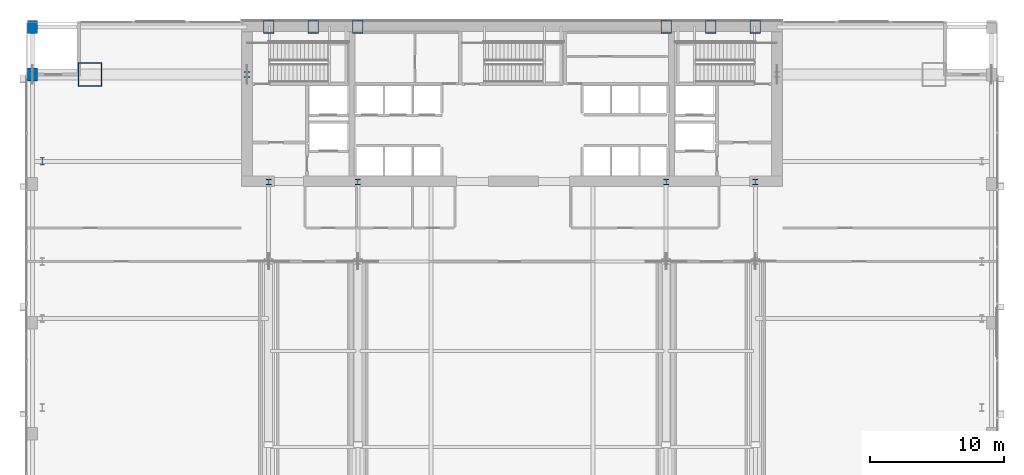
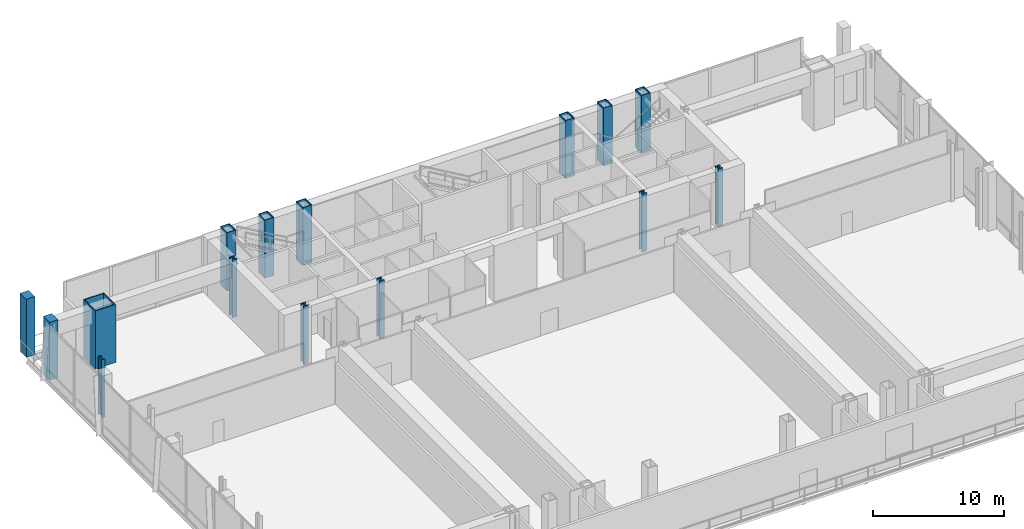
# One storey, part 3 of 26: 15 columns.
"""IFC4 building model written with IfcOpenShell, lengths in metres."""

from ifc_helpers import new_model, si_unit, direction, frame, origin, origin_2d, place, context, subcontext, project, spatial, rectangle, hollow_rectangle, i_section, extrude, material, material_profile, profile_set, type_object, element, save


model = new_model("IFC4")

# Units and contexts
model_context = context("Model", 3, precision=1e-05, world=origin(), true_north=direction((0.0, 1.0)))
body_context = subcontext(model_context, "Body", "Model", "MODEL_VIEW")
ifc_project = project(units=[si_unit("LENGTHUNIT", "METRE"), si_unit("AREAUNIT", "SQUARE_METRE"), si_unit("VOLUMEUNIT", "CUBIC_METRE"), si_unit("PLANEANGLEUNIT", "RADIAN"), si_unit("MASSUNIT", "GRAM", prefix="KILO")], contexts=[model_context])

# Site, building, storey
site_placement = place(None, origin())
site = spatial("IfcSite", under=ifc_project, at=site_placement, CompositionType="ELEMENT")
building_placement = place(site_placement, origin())
building = spatial("IfcBuilding", under=site, at=building_placement, Name="Khoronbel Lancet Exchange", CompositionType="ELEMENT")
storey_placement = place(building_placement, frame((0.0, 0.0, 20.39990234375)))
storey = spatial("IfcBuildingStorey", under=building, at=storey_placement, Name="L04", CompositionType="ELEMENT", Elevation=20.39990234375)

# Columns
ifc_material_1 = material(Name="Steel S460", Category="steel")
ifc_material_profile_1 = material_profile(ifc_material_1, hollow_rectangle(XDim=0.800048828125, YDim=1.0, WallThickness=0.054931640625, at=origin_2d()), Name="BOX 1000x800x55")
ifc_profile_set_1 = profile_set([ifc_material_profile_1], Name="Steel S460")
column_type_1 = type_object("IfcColumnType", Name="COL-EC1", PredefinedType="COLUMN", material=ifc_profile_set_1)
for number, where, z_axis, x_axis, name in (
    (1, (18.22509765625, 53.280029296875, 0.0), (0.0, 0.0, 1.0), (1.0, 0.0, 0.0), "Structural column NC-W1 L04"),
    (2, (21.5625, 53.280029296875, 0.0), (0.0, 0.0, 1.0), (1.0, 0.0, 0.0), "Structural column NC-WM L04"),
    (3, (24.89990234375, 53.280029296875, 0.0), (0.0, 0.0, 1.0), (1.0, 0.0, 0.0), "Structural column NC-W2 L04"),
    (4, (48.0, 53.280029296875, 0.0), (0.0, 0.0, 1.0), (1.0, 0.0, 0.0), "Structural column NC-E1 L04"),
    (5, (51.33740234375, 53.280029296875, 0.0), (0.0, 0.0, 1.0), (1.0, 0.0, 0.0), "Structural column NC-EM L04"),
    (6, (54.675048828125, 53.280029296875, 0.0), (0.0, 0.0, 1.0), (1.0, 0.0, 0.0), "Structural column NC-E2 L04"),
):
    element("IfcColumn", number, at=place(storey_placement, frame(where, z_axis=z_axis, x_axis=x_axis)), inside=storey, type_object=column_type_1, Name=name, PredefinedType="COLUMN", context=body_context, shape_type="SweptSolid", body=[
        extrude(hollow_rectangle(XDim=0.800048828125, YDim=1.0, WallThickness=0.054931640625, at=origin_2d()), origin(), (0.0, 0.0, 1.0), 5.400146484375),
    ])
ifc_material_profile_2 = material_profile(ifc_material_1, i_section(OverallWidth=0.424072265625, OverallDepth=0.47412109375, WebThickness=0.047607421875, FlangeThickness=0.076904296875, at=origin_2d()), Name="HD 400x634")
ifc_profile_set_2 = profile_set([ifc_material_profile_2], Name="Steel S460")
column_type_2 = type_object("IfcColumnType", Name="COL-IC1", PredefinedType="COLUMN", material=ifc_profile_set_2)
for number, where, z_axis, x_axis, name in (
    (7, (16.60009765625, 49.699951171875, 0.0), (0.0, 0.0, 1.0), (1.0, 0.0, 0.0), "Core-flank plumb transfer column CFW L04"),
    (8, (18.22509765625, 41.64990234375, 0.0), (0.0, 0.0, 1.0), (1.0, 0.0, 0.0), "Core-embedded steel column CTC1 L04"),
    (9, (24.89990234375, 41.64990234375, 0.0), (0.0, 0.0, 1.0), (1.0, 0.0, 0.0), "Core-embedded steel column CTC2 L04"),
    (10, (48.0, 41.64990234375, 0.0), (0.0, 0.0, 1.0), (1.0, 0.0, 0.0), "Core-embedded steel column CTC3 L04"),
    (11, (54.675048828125, 41.64990234375, 0.0), (0.0, 0.0, 1.0), (1.0, 0.0, 0.0), "Core-embedded steel column CTC4 L04"),
):
    element("IfcColumn", number, at=place(storey_placement, frame(where, z_axis=z_axis, x_axis=x_axis)), inside=storey, type_object=column_type_2, Name=name, PredefinedType="COLUMN", context=body_context, shape_type="SweptSolid", body=[
        extrude(i_section(OverallWidth=0.424072265625, OverallDepth=0.47412109375, WebThickness=0.047607421875, FlangeThickness=0.076904296875, at=origin_2d()), origin(), (0.0, 0.0, 1.0), 5.400146484375),
    ])
ifc_material_2 = material(Name="Steel S355", Category="steel")
ifc_material_profile_3 = material_profile(ifc_material_2, i_section(OverallWidth=0.300048828125, OverallDepth=0.550048828125, WebThickness=0.014892578125, FlangeThickness=0.029052734375, at=origin_2d()), Name="HEB 550")
ifc_profile_set_3 = profile_set([ifc_material_profile_3], Name="Steel S355")
column_type_3 = type_object("IfcColumnType", Name="COL-LC1", PredefinedType="COLUMN", material=ifc_profile_set_3)
column_1_placement = place(storey_placement, frame((1.27001953125, 43.199951171875, 0.0), z_axis=(0.0, 0.0, 1.0), x_axis=(1.0, 0.0, 0.0)))
element("IfcColumn", 12, at=column_1_placement, inside=storey, type_object=column_type_3, Name="Structural column WC-4 L04", PredefinedType="COLUMN", context=body_context, shape_type="SweptSolid", body=[
    extrude(i_section(OverallWidth=0.300048828125, OverallDepth=0.550048828125, WebThickness=0.014892578125, FlangeThickness=0.029052734375, at=origin_2d()), origin(), (0.0, 0.0, 1.0), 5.400146484375),
])
ifc_material_profile_4 = material_profile(ifc_material_1, hollow_rectangle(XDim=1.800048828125, YDim=1.800048828125, WallThickness=0.080078125, at=origin_2d()), Name="BOX 1800x1800x80")
ifc_profile_set_4 = profile_set([ifc_material_profile_4], Name="Steel S460")
column_type_4 = type_object("IfcColumnType", Name="COL-MC1", PredefinedType="COLUMN", material=ifc_profile_set_4)
column_2_placement = place(storey_placement, frame((4.85009765625, 49.699951171875, 0.0), z_axis=(0.0, 0.0, 1.0), x_axis=(1.0, 0.0, 0.0)))
element("IfcColumn", 13, at=column_2_placement, inside=storey, type_object=column_type_4, Name="Structural column MC-NW L04", PredefinedType="COLUMN", context=body_context, shape_type="SweptSolid", body=[
    extrude(hollow_rectangle(XDim=1.800048828125, YDim=1.800048828125, WallThickness=0.080078125, at=origin_2d()), origin(), (0.0, 0.0, 1.0), 5.400146484375),
])
ifc_material_3 = material(Name="Concrete C60/75", Category="concrete")
ifc_material_profile_5 = material_profile(ifc_material_3, rectangle(XDim=0.75, YDim=0.949951171875, at=origin_2d()), Name="RC 750x950")
ifc_profile_set_5 = profile_set([ifc_material_profile_5], Name="Concrete C60/75")
column_type_5 = type_object("IfcColumnType", Name="COL-PIL2", PredefinedType="PILASTER", material=ifc_profile_set_5)
for number, where, z_axis, x_axis, name in (
    (14, (0.550048828125, 49.699951171875, 0.0), (0.0, 0.0, 1.0), (1.0, 0.0, 0.0), "Podium Gothic colonnade pilaster NWMC L04"),
    (15, (0.550048828125, 53.25, 0.0), (0.0, 0.0, 1.0), (1.0, 0.0, 0.0), "Podium Gothic colonnade pilaster NWP L04"),
):
    element("IfcColumn", number, at=place(storey_placement, frame(where, z_axis=z_axis, x_axis=x_axis)), inside=storey, type_object=column_type_5, Name=name, PredefinedType="PILASTER", context=body_context, shape_type="SweptSolid", body=[
        extrude(rectangle(XDim=0.75, YDim=0.949951171875, at=origin_2d()), origin(), (0.0, 0.0, 1.0), 5.400146484375),
    ])

save(model, "model.ifc")
